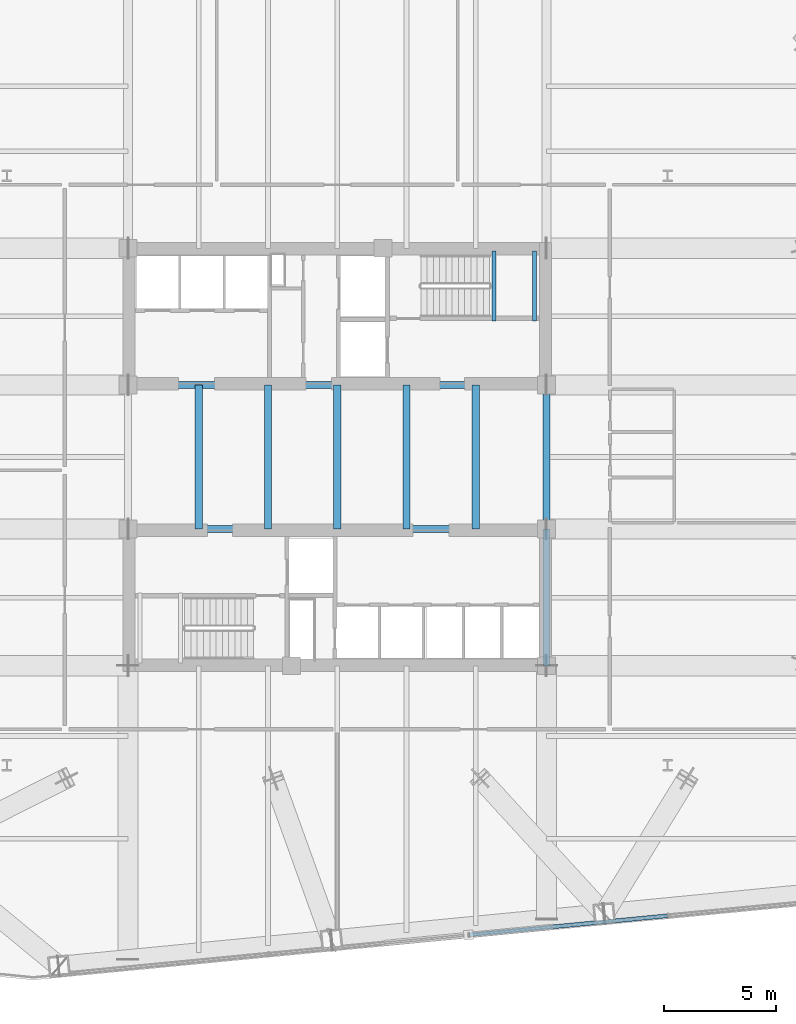
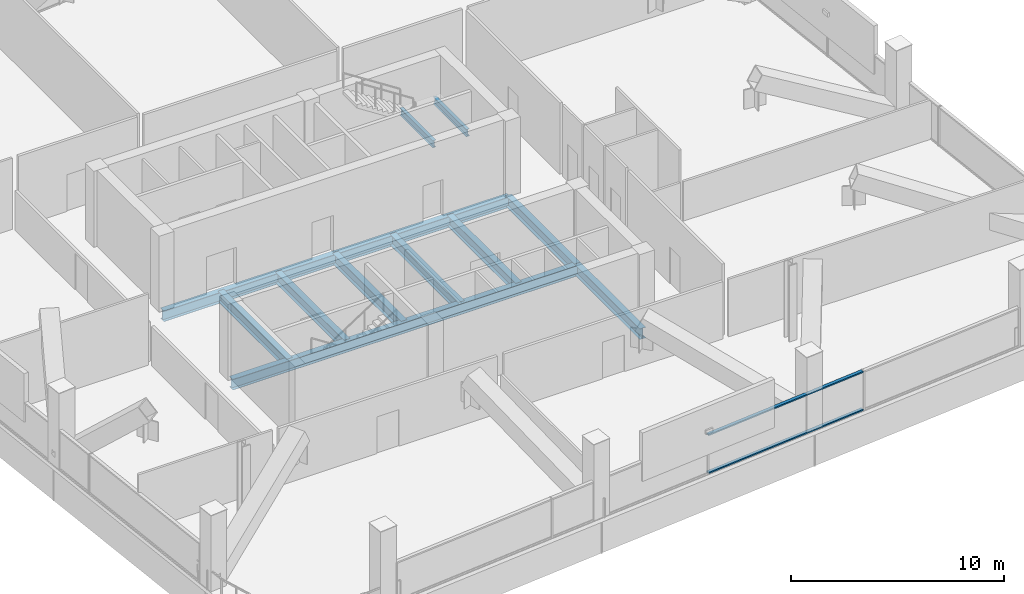
# One storey, part 8 of 30: 11 beams, 2 members, 1 element without a shape of its own.
"""IFC4 building model written with IfcOpenShell, lengths in metres."""

import ifcopenshell
import ifcopenshell.guid

model = None  # the IFC model being written
_history = None  # IfcOwnerHistory: only IFC2X3 demands one
_inside = {}  # id of a spatial element -> (the spatial element, [elements in it])
_under = {}  # id of a project, library or spatial element -> (it, [spatial elements below it])
_declared = {}  # id of a project -> (the project, [libraries it declares])
_typed = {}  # id of a type object -> (the type object, [elements of that type])
_made_of = {}  # id of a material, layer set ... -> (it, [elements and type objects made of it])


def new_model(schema):
    """Start an empty IFC model of exactly this schema.

    Asked for "IFC4X3", IfcOpenShell would pick the latest addendum, in which some entities
    have other attributes; the version numbers below select the first issue.
    IFC2X3 requires an IfcOwnerHistory on every rooted entity: one is made here for all.
    """
    global model, _history
    if schema == "IFC4X3":
        model = ifcopenshell.file(schema_version=(4, 3, 0, 0))
    else:
        model = ifcopenshell.file(schema=schema)
    _inside.clear()
    _under.clear()
    _declared.clear()
    _typed.clear()
    _made_of.clear()
    _history = None
    if model.schema == "IFC2X3":
        org = make("IfcOrganization", Name="unknown")
        user = make(
            "IfcPersonAndOrganization",
            ThePerson=make("IfcPerson", FamilyName="unknown"),
            TheOrganization=org,
        )
        app = make(
            "IfcApplication",
            ApplicationDeveloper=org,
            Version="unknown",
            ApplicationFullName="unknown",
            ApplicationIdentifier="unknown",
        )
        _history = make(
            "IfcOwnerHistory",
            OwningUser=user,
            OwningApplication=app,
            ChangeAction="ADDED",
            CreationDate=0,
        )
    return model


def make(cls, **values):
    """One entity of the class cls with the attributes given. An attribute that is None is left unset."""
    return model.create_entity(
        cls, **{name: value for name, value in values.items() if value is not None}
    )


def rooted(cls, **values):
    """An entity with a GlobalId (a new one), such as an element, a storey or a relation."""
    return make(cls, GlobalId=ifcopenshell.guid.new(), OwnerHistory=_history, **values)


def si_unit(unit_type, name, prefix=None):
    """IfcSIUnit, for example si_unit("LENGTHUNIT", "METRE", prefix="MILLI")."""
    return make("IfcSIUnit", UnitType=unit_type, Prefix=prefix, Name=name)


def assignment(units):
    """IfcUnitAssignment: the units of a project."""
    return None if units is None else make("IfcUnitAssignment", Units=units)


def point(xyz):
    """IfcCartesianPoint."""
    return None if xyz is None else make("IfcCartesianPoint", Coordinates=xyz)


def direction(xyz):
    """IfcDirection."""
    return None if xyz is None else make("IfcDirection", DirectionRatios=xyz)


def frame(location, z_axis=None, x_axis=None):
    """IfcAxis2Placement3D, a coordinate frame: its origin and axes. An axis left out is left unset."""
    return make(
        "IfcAxis2Placement3D",
        Location=point(location),
        Axis=direction(z_axis),
        RefDirection=direction(x_axis),
    )


def frame_2d(location, x_axis=None):
    """IfcAxis2Placement2D, a coordinate frame in the plane: its origin and x axis."""
    return make(
        "IfcAxis2Placement2D", Location=point(location), RefDirection=direction(x_axis)
    )


def origin():
    """The frame at (0, 0, 0) with its axes left unset."""
    return frame((0.0, 0.0, 0.0))


def origin_2d():
    """The frame at (0, 0) in the plane with its x axis left unset."""
    return frame_2d((0.0, 0.0))


def place(relative_to, where):
    """IfcLocalPlacement: puts the frame where relative to a parent placement (None: the world)."""
    return make(
        "IfcLocalPlacement", PlacementRelTo=relative_to, RelativePlacement=where
    )


def context(
    kind, dimensions, precision=None, world=None, true_north=None, identifier=None
):
    """IfcGeometricRepresentationContext, for example the 3D "Model" context."""
    return make(
        "IfcGeometricRepresentationContext",
        ContextIdentifier=identifier,
        ContextType=kind,
        CoordinateSpaceDimension=dimensions,
        Precision=precision,
        WorldCoordinateSystem=world,
        TrueNorth=true_north,
    )


def subcontext(parent, identifier, kind, view, scale=None):
    """IfcGeometricRepresentationSubContext, for example "Body" below "Model"."""
    return make(
        "IfcGeometricRepresentationSubContext",
        ContextIdentifier=identifier,
        ContextType=kind,
        ParentContext=parent,
        TargetScale=scale,
        TargetView=view,
    )


def project(units=None, contexts=None):
    """IfcProject with its units and contexts."""
    return rooted(
        "IfcProject",
        Name="project",
        RepresentationContexts=contexts,
        UnitsInContext=assignment(units),
    )


def spatial(cls, under=None, at=None, **own):
    """A site, building, storey or space (cls), placed at a placement, below another one or the project."""
    s = rooted(cls, ObjectPlacement=at, **own)
    if under is not None:
        _under.setdefault(under.id(), (under, []))[1].append(s)
    return s


def profile(cls, at=None, kind="AREA", **sizes):
    """A parametric profile (cls). Its sizes go by their IFC names, for example OverallWidth=200.0."""
    return make(cls, ProfileType=kind, Position=at, **sizes)


def hollow_rectangle(**sizes):
    """IfcRectangleHollowProfileDef."""
    return profile("IfcRectangleHollowProfileDef", **sizes)


def i_section(**sizes):
    """IfcIShapeProfileDef."""
    return profile("IfcIShapeProfileDef", **sizes)


def extrude(swept, where, along, depth):
    """IfcExtrudedAreaSolid: the profile swept, set in the frame where, extruded along a direction by depth."""
    return make(
        "IfcExtrudedAreaSolid",
        SweptArea=swept,
        Position=where,
        ExtrudedDirection=direction(along),
        Depth=depth,
    )


def shape(context_of_items, identifier, shape_type, items):
    """IfcShapeRepresentation: the items that make up one representation, for example the "Body"."""
    return make(
        "IfcShapeRepresentation",
        ContextOfItems=context_of_items,
        RepresentationIdentifier=identifier,
        RepresentationType=shape_type,
        Items=items,
    )


def material(Name=None, Category=None):
    """IfcMaterial."""
    return make("IfcMaterial", Name=Name, Category=Category)


def layer(
    of_material, thickness, ventilated=None, Name=None, Category=None, Priority=None
):
    """IfcMaterialLayer: one layer of a wall or slab, of a material (None: an air gap)."""
    return make(
        "IfcMaterialLayer",
        Material=of_material,
        LayerThickness=thickness,
        IsVentilated=ventilated,
        Name=Name,
        Category=Category,
        Priority=Priority,
    )


def layer_set(layers, Name=None):
    """IfcMaterialLayerSet."""
    return make("IfcMaterialLayerSet", MaterialLayers=layers, LayerSetName=Name)


def material_profile(
    of_material, cross_section, Name=None, Category=None, Priority=None
):
    """IfcMaterialProfile: a cross section and its material."""
    return make(
        "IfcMaterialProfile",
        Name=Name,
        Material=of_material,
        Profile=cross_section,
        Priority=Priority,
        Category=Category,
    )


def profile_set(profiles, Name=None, composite=None):
    """IfcMaterialProfileSet."""
    return make(
        "IfcMaterialProfileSet",
        Name=Name,
        MaterialProfiles=profiles,
        CompositeProfile=composite,
    )


def made_of(thing, what):
    """Note that an element or type object is made of a material, layer set ...; save() writes the relation."""
    if what is not None:
        _made_of.setdefault(what.id(), (what, []))[1].append(thing)
    return thing


def type_object(cls, material=None, **own):
    """A type object (cls), such as IfcWallType, which elements share."""
    return made_of(rooted(cls, **own), material)


def element(
    cls,
    number,
    at=None,
    inside=None,
    cuts=None,
    type_object=None,
    material=None,
    context=None,
    identifier="Body",
    shape_type=None,
    held_by="IfcProductDefinitionShape",
    body=None,
    shapes=None,
    **own,
):
    """One element of the class cls, such as IfcWall. Its Tag is "e" and its number.

    at: its placement. inside: the storey or other place that contains it. cuts: it is an
    opening in that element (IfcRelVoidsElement). A single representation is given by context,
    identifier, shape_type and body (its items); several are given by shapes. held_by: the class
    of the entity that holds the representations. save() writes the other relations.
    """
    e = rooted(cls, Tag="e%d" % number, ObjectPlacement=at, **own)
    if body is not None:
        shapes = [shape(context, identifier, shape_type, body)]
    if shapes is not None:
        e.Representation = make(held_by, Representations=shapes)
    if inside is not None:
        _inside.setdefault(inside.id(), (inside, []))[1].append(e)
    if cuts is not None:
        rooted(
            "IfcRelVoidsElement", RelatingBuildingElement=cuts, RelatedOpeningElement=e
        )
    if type_object is not None:
        _typed.setdefault(type_object.id(), (type_object, []))[1].append(e)
    return made_of(e, material)


def aggregate(whole, parts):
    """IfcRelAggregates: a whole, such as a stair, and the parts it consists of."""
    return rooted("IfcRelAggregates", RelatingObject=whole, RelatedObjects=parts)


def save(model, path):
    """Write the relations noted so far, then the file.

    IfcRelAggregates (storeys below a building ...), IfcRelContainedInSpatialStructure (elements
    in a storey), IfcRelDefinesByType, IfcRelAssociatesMaterial and IfcRelDeclares: one each for
    every whole, place, type object, material and project.
    """
    for whole, parts in _under.values():
        aggregate(whole, parts)
    for where, things in _inside.values():
        rooted(
            "IfcRelContainedInSpatialStructure",
            RelatedElements=things,
            RelatingStructure=where,
        )
    for kind, things in _typed.values():
        rooted("IfcRelDefinesByType", RelatedObjects=things, RelatingType=kind)
    for what, things in _made_of.values():
        rooted("IfcRelAssociatesMaterial", RelatedObjects=things, RelatingMaterial=what)
    for by, libraries in _declared.values():
        rooted("IfcRelDeclares", RelatingContext=by, RelatedDefinitions=libraries)
    model.write(path)


model = new_model("IFC4")

# Units and contexts
model_context = context("Model", 3, precision=1e-05, world=origin(), true_north=direction((0.0, 1.0)))
body_context = subcontext(model_context, "Body", "Model", "MODEL_VIEW")
ifc_project = project(units=[si_unit("LENGTHUNIT", "METRE"), si_unit("AREAUNIT", "SQUARE_METRE"), si_unit("VOLUMEUNIT", "CUBIC_METRE"), si_unit("PLANEANGLEUNIT", "RADIAN"), si_unit("MASSUNIT", "GRAM", prefix="KILO")], contexts=[model_context])

# Site, building, storey
site_placement = place(None, origin())
site = spatial("IfcSite", under=ifc_project, at=site_placement, CompositionType="ELEMENT")
building_placement = place(site_placement, origin())
building = spatial("IfcBuilding", under=site, at=building_placement, Name="Qhalaya Broadcast Tower", CompositionType="ELEMENT")
storey_placement = place(building_placement, frame((0.0, 0.0, 96.89990234375)))
storey = spatial("IfcBuildingStorey", under=building, at=storey_placement, Name="L28", CompositionType="ELEMENT", Elevation=96.89990234375)

# Beams
ifc_material_1 = material(Name="Structural Steel ASTM A992 Grade 50", Category="steel")
ifc_material_profile_1 = material_profile(ifc_material_1, i_section(OverallWidth=0.323974609375, OverallDepth=0.612060546875, WebThickness=0.0126953125, FlangeThickness=0.01904296875, at=origin_2d()), Name="W24X104")
ifc_profile_set_1 = profile_set([ifc_material_profile_1], Name="Structural Steel ASTM A992 Grade 50")
beam_type_1 = type_object("IfcBeamType", Name="Core Frame Tie Beam B04", PredefinedType="BEAM", material=ifc_profile_set_1)
for number, where, z_axis, x_axis, name in (
    (1, (-9.375, 3.824951171875, -0.52587890625), (1.0, 0.0, 0.0), (0.0, 1.0, 0.0), "L28 B04 L28-CCN1"),
    (2, (-9.375, -2.625, -0.52587890625), (1.0, 0.0, 0.0), (0.0, 1.0, 0.0), "L28 B04 L28-CCS1"),
):
    element("IfcBeam", number, at=place(storey_placement, frame(where, z_axis=z_axis, x_axis=x_axis)), inside=storey, type_object=beam_type_1, Name=name, PredefinedType="BEAM", context=body_context, shape_type="SweptSolid", body=[
        extrude(i_section(OverallWidth=0.323974609375, OverallDepth=0.612060546875, WebThickness=0.0126953125, FlangeThickness=0.01904296875, at=origin_2d()), origin(), (0.0, 0.0, 1.0), 18.75),
    ])
beam_placement = place(storey_placement, frame((9.375, -8.75, -0.52587890625), z_axis=(0.0, 1.0, 0.0), x_axis=(-1.0, 0.0, 0.0)))
element("IfcBeam", 3, at=beam_placement, inside=storey, type_object=beam_type_1, Name="L28 B04 L28-CCS2", PredefinedType="BEAM", context=body_context, shape_type="SweptSolid", body=[
    extrude(i_section(OverallWidth=0.323974609375, OverallDepth=0.612060546875, WebThickness=0.0126953125, FlangeThickness=0.01904296875, at=origin_2d()), origin(), (0.0, 0.0, 1.0), 6.125),
])
for number, where, z_axis, x_axis, name in (
    (4, (9.375, -2.625, -0.52587890625), (0.0, 1.0, 0.0), (-1.0, 0.0, 0.0), "L28 B04 L28-CCE"),
    (5, (-6.199951171875, -2.625, -0.52587890625), (0.0, 1.0, 0.0), (-1.0, 0.0, 0.0), "L28 B04 L28-JC1-1"),
    (6, (-3.10009765625, -2.625, -0.52587890625), (0.0, 1.0, 0.0), (-1.0, 0.0, 0.0), "L28 B04 L28-JC2-1"),
    (7, (0.0, -2.625, -0.52587890625), (0.0, 1.0, 0.0), (-1.0, 0.0, 0.0), "L28 B04 L28-JC3-1"),
    (8, (3.10009765625, -2.625, -0.52587890625), (0.0, 1.0, 0.0), (-1.0, 0.0, 0.0), "L28 B04 L28-JC4-1"),
    (9, (6.199951171875, -2.625, -0.52587890625), (0.0, 1.0, 0.0), (-1.0, 0.0, 0.0), "L28 B04 L28-JC5-1"),
):
    element("IfcBeam", number, at=place(storey_placement, frame(where, z_axis=z_axis, x_axis=x_axis)), inside=storey, type_object=beam_type_1, Name=name, PredefinedType="BEAM", context=body_context, shape_type="SweptSolid", body=[
        extrude(i_section(OverallWidth=0.323974609375, OverallDepth=0.612060546875, WebThickness=0.0126953125, FlangeThickness=0.01904296875, at=origin_2d()), origin(), (0.0, 0.0, 1.0), 6.449951171875),
    ])

# Curtain wall, members
ifc_material_2 = material(Name="Fired Architectural Terracotta", Category="masonry")
ifc_layer = layer(ifc_material_2, 0.219970703125, Name="Fired Architectural Terracotta")
ifc_layer_set = layer_set([ifc_layer], Name="Fired Architectural Terracotta")
curtain_wall_type = type_object("IfcCurtainWallType", Name="Block-Cap Unitised Terracotta Spandrel Wall CW-07", PredefinedType="NOTDEFINED", material=ifc_layer_set)
curtain_wall_placement = place(storey_placement, origin())
curtain_wall = element("IfcCurtainWall", 10, at=curtain_wall_placement, inside=storey, type_object=curtain_wall_type, Name="L28 Unitised Curtain Wall L28-CW-S", PredefinedType="NOTDEFINED")
ifc_material_3 = material(Name="Anodised Aluminium 6063-T6", Category="aluminium")
ifc_material_profile_2 = material_profile(ifc_material_3, hollow_rectangle(XDim=0.074951171875, YDim=0.179931640625, WallThickness=0.00390625, at=origin_2d()), Name="ALU-TRN 75x180x4")
ifc_profile_set_2 = profile_set([ifc_material_profile_2], Name="Anodised Aluminium 6063-T6")
member_type = type_object("IfcMemberType", Name="Unitised Curtain-Wall Transom T01", PredefinedType="USERDEFINED", material=ifc_profile_set_2)
member_1_placement = place(storey_placement, frame((14.78662109375, -19.9501953125, 0.03759765625), z_axis=(-0.995397117949, -0.095836201822, 0.0), x_axis=(0.0, 0.0, 1.0)))
member_1 = element("IfcMember", 11, at=member_1_placement, type_object=member_type, Name="CW-07 transom 2.1", ObjectType="TRANSOM", PredefinedType="USERDEFINED", context=body_context, shape_type="SweptSolid", body=[
    extrude(hollow_rectangle(XDim=0.074951171875, YDim=0.179931640625, WallThickness=0.00390625, at=origin_2d()), origin(), (0.0, 0.0, 1.0), 8.906005859375),
])
member_2_placement = place(storey_placement, frame((14.78662109375, -19.9501953125, 2.212646484375), z_axis=(-0.995397117949, -0.095836201822, 0.0), x_axis=(0.0, 0.0, 1.0)))
member_2 = element("IfcMember", 12, at=member_2_placement, type_object=member_type, Name="CW-07 transom 2.2", ObjectType="TRANSOM", PredefinedType="USERDEFINED", context=body_context, shape_type="SweptSolid", body=[
    extrude(hollow_rectangle(XDim=0.074951171875, YDim=0.179931640625, WallThickness=0.00390625, at=origin_2d()), origin(), (0.0, 0.0, 1.0), 8.906005859375),
])
aggregate(curtain_wall, [member_1, member_2])

# Beams
ifc_material_profile_3 = material_profile(ifc_material_1, i_section(OverallWidth=0.177978515625, OverallDepth=0.406005859375, WebThickness=0.0078125, FlangeThickness=0.0126953125, at=origin_2d()), Name="W16X40")
ifc_profile_set_3 = profile_set([ifc_material_profile_3], Name="Structural Steel ASTM A992 Grade 50")
beam_type_2 = type_object("IfcBeamType", Name="Upper Perimeter Spandrel Beam SP2", PredefinedType="SPANDREL", material=ifc_profile_set_3)
for number, where, z_axis, x_axis, name in (
    (13, (7.014892578125, 6.699951171875, 1.772216796875), (0.0, 1.0, 0.0), (-1.0, 0.0, 0.0), "L28 ST-1 Half-Landing Bearer Beam 1"),
    (14, (8.830078125, 6.699951171875, 1.772216796875), (0.0, 1.0, 0.0), (-1.0, 0.0, 0.0), "L28 ST-1 Half-Landing Bearer Beam 2"),
):
    element("IfcBeam", number, at=place(storey_placement, frame(where, z_axis=z_axis, x_axis=x_axis)), inside=storey, type_object=beam_type_2, Name=name, PredefinedType="SPANDREL", context=body_context, shape_type="SweptSolid", body=[
        extrude(i_section(OverallWidth=0.177978515625, OverallDepth=0.406005859375, WebThickness=0.0078125, FlangeThickness=0.0126953125, at=origin_2d()), origin(), (0.0, 0.0, 1.0), 3.1201171875),
    ])

save(model, "model.ifc")
